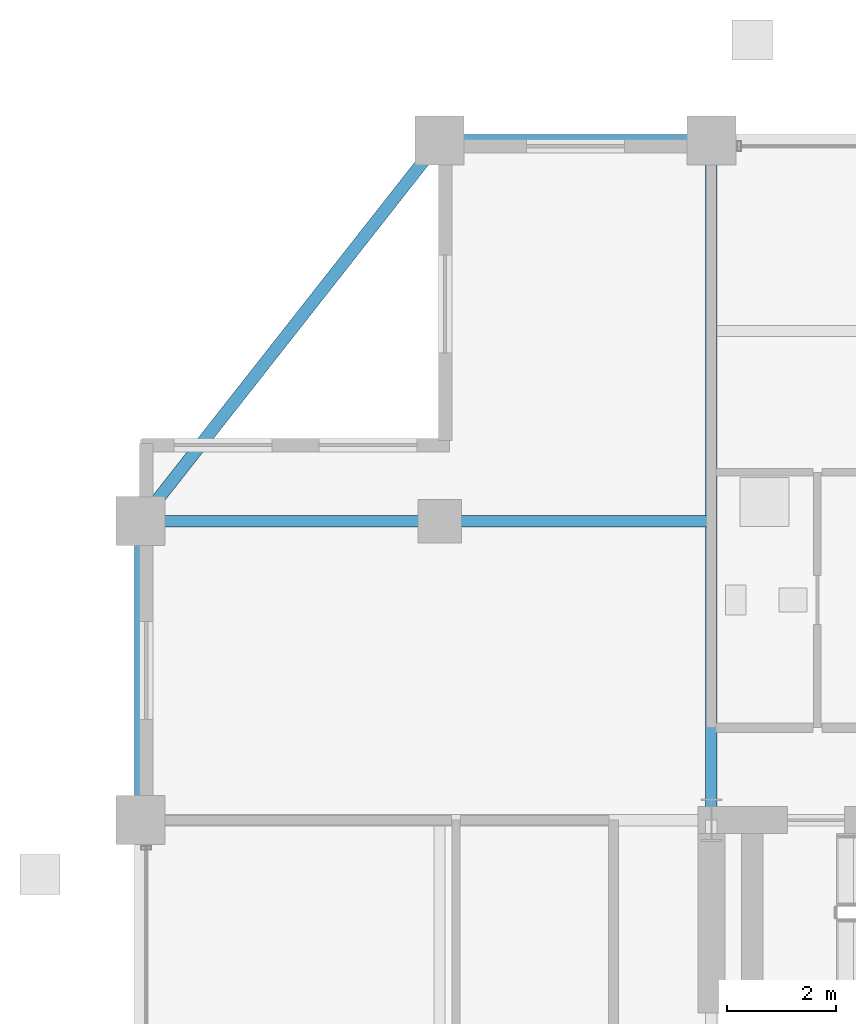
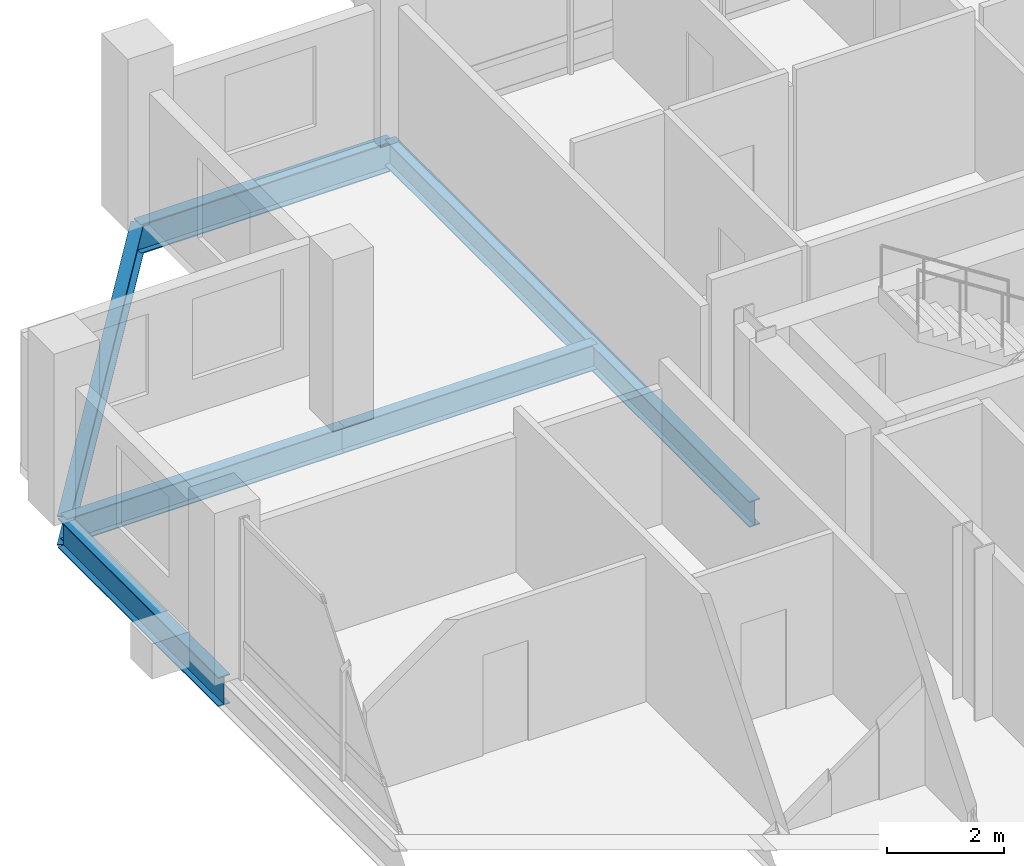
# One storey, part 11 of 21: 6 beams.
"""IFC4 building model written with IfcOpenShell, lengths in metres."""

from ifc_helpers import new_model, si_unit, direction, frame, origin, origin_2d, place, context, subcontext, project, spatial, i_section, extrude, material, material_profile, profile_set, type_object, element, save


model = new_model("IFC4")

# Units and contexts
model_context = context("Model", 3, precision=1e-05, world=origin(), true_north=direction((0.0, 1.0)))
body_context = subcontext(model_context, "Body", "Model", "MODEL_VIEW")
ifc_project = project(units=[si_unit("LENGTHUNIT", "METRE"), si_unit("AREAUNIT", "SQUARE_METRE"), si_unit("VOLUMEUNIT", "CUBIC_METRE"), si_unit("PLANEANGLEUNIT", "RADIAN"), si_unit("MASSUNIT", "GRAM", prefix="KILO")], contexts=[model_context])

# Site, building, storey
site_placement = place(None, origin())
site = spatial("IfcSite", under=ifc_project, at=site_placement, CompositionType="ELEMENT")
building_placement = place(site_placement, origin())
building = spatial("IfcBuilding", under=site, at=building_placement, Name="Barlavira Tower and Art Museum", CompositionType="ELEMENT")
storey_placement = place(building_placement, frame((0.0, 0.0, 254.699951171875)))
storey = spatial("IfcBuildingStorey", under=building, at=storey_placement, Name="L66", CompositionType="ELEMENT", Elevation=254.699951171875)

# Beams
ifc_material = material(Name="Steel S355", Category="steel")
ifc_material_profile_1 = material_profile(ifc_material, i_section(OverallWidth=0.22998046875, OverallDepth=0.616943359375, WebThickness=0.01318359375, FlangeThickness=0.022216796875, at=origin_2d()), Name="W610x140.0")
ifc_profile_set_1 = profile_set([ifc_material_profile_1], Name="Steel S355")
beam_type_1 = type_object("IfcBeamType", Name="Upper Shaft Spandrel Edge Beam W610x140 Steel S355", PredefinedType="SPANDREL", material=ifc_profile_set_1)
beam_1_placement = place(storey_placement, frame((-11.5, 20.0, -0.528564453125), z_axis=(1.0, 0.0, 0.0), x_axis=(0.0, 1.0, 0.0)))
element("IfcBeam", 1, at=beam_1_placement, inside=storey, type_object=beam_type_1, Name="L66 Spandrel 11", PredefinedType="SPANDREL", context=body_context, shape_type="SweptSolid", body=[
    extrude(i_section(OverallWidth=0.22998046875, OverallDepth=0.616943359375, WebThickness=0.01318359375, FlangeThickness=0.022216796875, at=origin_2d()), origin(), (0.0, 0.0, 1.0), 5.0),
])
beam_2_placement = place(storey_placement, frame((-11.5, 20.0, -0.528564453125), z_axis=(-0.617821551932, -0.786318338822, 0.0), x_axis=(0.786318338822, -0.617821551932, 0.0)))
element("IfcBeam", 2, at=beam_2_placement, inside=storey, type_object=beam_type_1, Name="L66 Spandrel 12", PredefinedType="SPANDREL", context=body_context, shape_type="SweptSolid", body=[
    extrude(i_section(OverallWidth=0.22998046875, OverallDepth=0.616943359375, WebThickness=0.01318359375, FlangeThickness=0.022216796875, at=origin_2d()), origin(), (0.0, 0.0, 1.0), 8.90234375),
])
beam_3_placement = place(storey_placement, frame((-17.0, 7.5, -0.528564453125), z_axis=(0.0, 1.0, 0.0), x_axis=(-1.0, 0.0, 0.0)))
element("IfcBeam", 3, at=beam_3_placement, inside=storey, type_object=beam_type_1, Name="L66 Spandrel 13", PredefinedType="SPANDREL", context=body_context, shape_type="SweptSolid", body=[
    extrude(i_section(OverallWidth=0.22998046875, OverallDepth=0.616943359375, WebThickness=0.01318359375, FlangeThickness=0.022216796875, at=origin_2d()), origin(), (0.0, 0.0, 1.0), 5.5),
])
ifc_material_profile_2 = material_profile(ifc_material, i_section(OverallWidth=0.2109375, OverallDepth=0.5390625, WebThickness=0.01171875, FlangeThickness=0.018798828125, at=origin_2d()), Name="W530x109.0")
ifc_profile_set_2 = profile_set([ifc_material_profile_2], Name="Steel S355")
beam_type_2 = type_object("IfcBeamType", Name="Zone 3-4 Primary Floor Girder W530x109 Steel S355", PredefinedType="BEAM", material=ifc_profile_set_2)
beam_4_placement = place(storey_placement, frame((-6.5, 7.5, -0.489501953125), z_axis=(0.0, 1.0, 0.0), x_axis=(-1.0, 0.0, 0.0)))
element("IfcBeam", 4, at=beam_4_placement, inside=storey, type_object=beam_type_2, Name="L66 Girder R-N1", PredefinedType="BEAM", context=body_context, shape_type="SweptSolid", body=[
    extrude(i_section(OverallWidth=0.2109375, OverallDepth=0.5390625, WebThickness=0.01171875, FlangeThickness=0.018798828125, at=origin_2d()), origin(), (0.0, 0.0, 1.0), 12.5),
])
beam_5_placement = place(storey_placement, frame((-17.0, 13.0, -0.489501953125), z_axis=(1.0, 0.0, 0.0), x_axis=(0.0, 1.0, 0.0)))
element("IfcBeam", 5, at=beam_5_placement, inside=storey, type_object=beam_type_2, Name="L66 Girder I-N1", PredefinedType="BEAM", context=body_context, shape_type="SweptSolid", body=[
    extrude(i_section(OverallWidth=0.2109375, OverallDepth=0.5390625, WebThickness=0.01171875, FlangeThickness=0.018798828125, at=origin_2d()), origin(), (0.0, 0.0, 1.0), 5.5),
])
beam_6_placement = place(storey_placement, frame((-11.5, 13.0, -0.489501953125), z_axis=(1.0, 0.0, 0.0), x_axis=(0.0, 1.0, 0.0)))
element("IfcBeam", 6, at=beam_6_placement, inside=storey, type_object=beam_type_2, Name="L66 Girder I-N2", PredefinedType="BEAM", context=body_context, shape_type="SweptSolid", body=[
    extrude(i_section(OverallWidth=0.2109375, OverallDepth=0.5390625, WebThickness=0.01171875, FlangeThickness=0.018798828125, at=origin_2d()), origin(), (0.0, 0.0, 1.0), 5.0),
])

save(model, "model.ifc")
